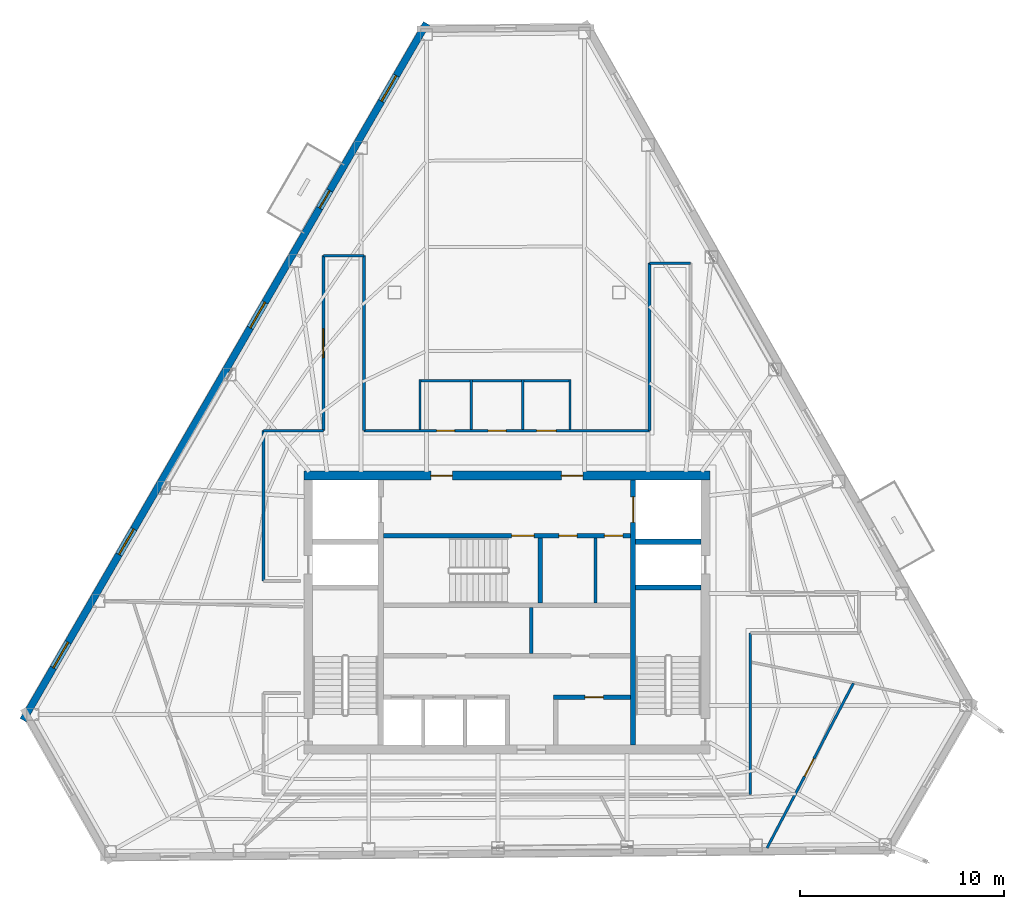
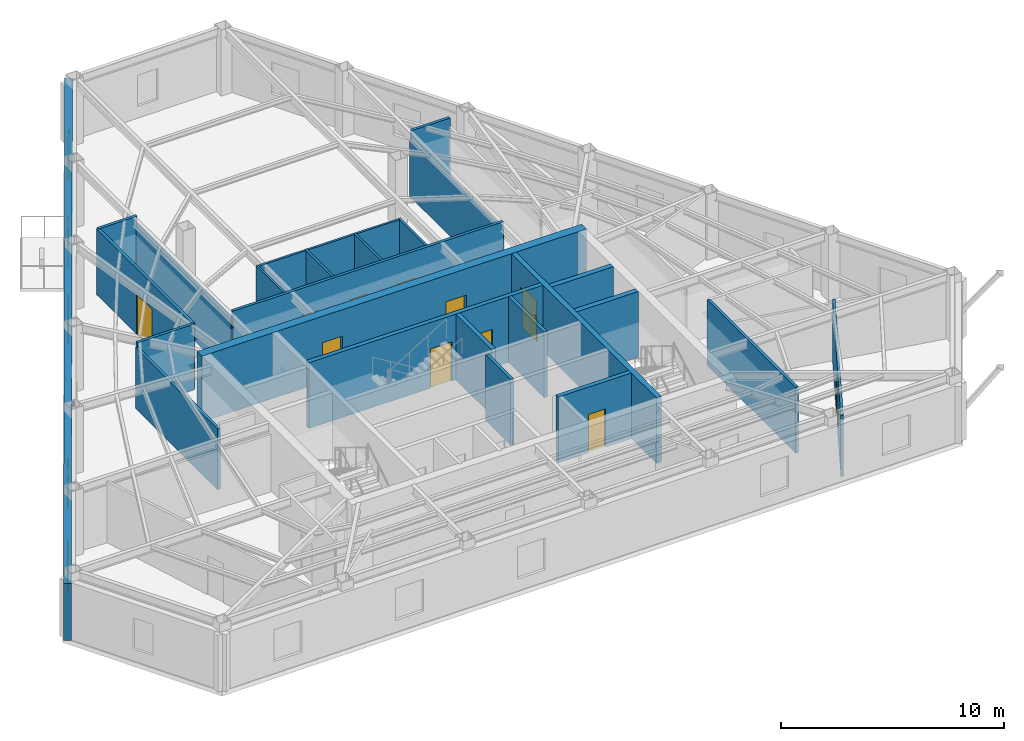
# One storey, part 7 of 10: 25 walls, 13 doors, 4 windows, 17 openings.
"""IFC4 building model written with IfcOpenShell, lengths in metres."""

from ifc_helpers import new_model, si_unit, direction, frame, frame_2d, origin, place, context, subcontext, project, spatial, rectangle, extrude, material, layer, layer_set, type_object, element, fill, save


model = new_model("IFC4")

# Units and contexts
model_context = context("Model", 3, precision=1e-05, world=origin(), true_north=direction((0.0, 1.0)))
body_context = subcontext(model_context, "Body", "Model", "MODEL_VIEW")
ifc_project = project(units=[si_unit("LENGTHUNIT", "METRE"), si_unit("AREAUNIT", "SQUARE_METRE"), si_unit("VOLUMEUNIT", "CUBIC_METRE"), si_unit("PLANEANGLEUNIT", "RADIAN"), si_unit("MASSUNIT", "GRAM", prefix="KILO")], contexts=[model_context])

# Site, building, storey
site_placement = place(None, origin())
site = spatial("IfcSite", under=ifc_project, at=site_placement, CompositionType="ELEMENT")
building_placement = place(site_placement, origin())
building = spatial("IfcBuilding", under=site, at=building_placement, Name="Kavelnor Concourse Tower", CompositionType="ELEMENT")
storey_placement = place(building_placement, frame((0.0, 0.0, 222.75)))
storey = spatial("IfcBuildingStorey", under=building, at=storey_placement, Name="L56", CompositionType="ELEMENT", Elevation=222.75)

# Wall, openings, doors
ifc_material_1 = material(Name="Concrete C50/60", Category="concrete")
ifc_layer_1 = layer(ifc_material_1, 0.43994140625, Name="Concrete C50/60")
ifc_layer_set_1 = layer_set([ifc_layer_1], Name="Concrete C50/60")
wall_type_1 = type_object("IfcWallType", Name="WL-CORE-Z3-440", PredefinedType="SOLIDWALL", material=ifc_layer_set_1)
wall_1_placement = place(storey_placement, frame((28.0400390625, 22.820068359375, 0.0), z_axis=(0.0, 0.0, 1.0), x_axis=(1.0, 0.0, 0.0)))
wall_1 = element("IfcWall", 1, at=wall_1_placement, inside=storey, type_object=wall_type_1, Name="L56 Central Core North Shear Wall", PredefinedType="SOLIDWALL", context=body_context, shape_type="SweptSolid", body=[
    extrude(rectangle(XDim=19.919921875, YDim=0.43994140625, at=frame_2d((9.9599609375, 0.0))), origin(), (0.0, 0.0, 1.0), 3.60009765625),
])
opening_1_placement = place(wall_1_placement, frame((6.235107421875, 0.0, 0.0)))
opening_1 = element("IfcOpeningElement", 2, at=opening_1_placement, cuts=wall_1, Name="Opening FD-105", PredefinedType="OPENING", context=body_context, shape_type="SweptSolid", body=[
    extrude(rectangle(XDim=1.050048828125, YDim=2.14990234375, at=frame_2d((0.52490234375, 1.074951171875))), frame((0.0, 0.22998046875, 0.0), z_axis=(0.0, -1.0, 0.0), x_axis=(1.0, 0.0, 0.0)), (0.0, 0.0, 1.0), 0.4599609375),
])
opening_2_placement = place(wall_1_placement, frame((12.635009765625, 0.0, 0.0)))
opening_2 = element("IfcOpeningElement", 3, at=opening_2_placement, cuts=wall_1, Name="Opening FD-105", PredefinedType="OPENING", context=body_context, shape_type="SweptSolid", body=[
    extrude(rectangle(XDim=1.050048828125, YDim=2.14990234375, at=frame_2d((0.52490234375, 1.074951171875))), frame((0.0, 0.22998046875, 0.0), z_axis=(0.0, -1.0, 0.0), x_axis=(1.0, 0.0, 0.0)), (0.0, 0.0, 1.0), 0.4599609375),
])
ifc_material_2 = material(Name="Steel Grade 350", Category="steel")
door_type_1 = type_object("IfcDoorType", Name="DR-LOBBY-FIRE-1050", OperationType="NOTDEFINED", PredefinedType="DOOR", material=ifc_material_2)
door_1_placement = place(opening_1_placement, origin())
door_1 = element("IfcDoor", 4, at=door_1_placement, inside=storey, type_object=door_type_1, Name="L56 Emergency Lift Lobby West Door", OperationType="SINGLE_SWING_LEFT", OverallHeight=2.14990234375, OverallWidth=1.050048828125, PredefinedType="DOOR", context=body_context, shape_type="SweptSolid", body=[
    extrude(rectangle(XDim=1.050048828125, YDim=2.14990234375, at=frame_2d((0.52490234375, 1.074951171875))), frame((0.0, 0.02490234375, 0.0), z_axis=(0.0, -1.0, 0.0), x_axis=(1.0, 0.0, 0.0)), (0.0, 0.0, 1.0), 0.050048828125),
])
fill(opening_1, door_1)
door_2_placement = place(opening_2_placement, origin())
door_2 = element("IfcDoor", 5, at=door_2_placement, inside=storey, type_object=door_type_1, Name="L56 Emergency Lift Lobby East Door", OperationType="SINGLE_SWING_RIGHT", OverallHeight=2.14990234375, OverallWidth=1.050048828125, PredefinedType="DOOR", context=body_context, shape_type="SweptSolid", body=[
    extrude(rectangle(XDim=1.050048828125, YDim=2.14990234375, at=frame_2d((0.52490234375, 1.074951171875))), frame((0.0, 0.02490234375, 0.0), z_axis=(0.0, -1.0, 0.0), x_axis=(1.0, 0.0, 0.0)), (0.0, 0.0, 1.0), 0.050048828125),
])
fill(opening_2, door_2)

# Wall, openings, door, windows
ifc_material_3 = material(Name="Red-ochre clay face brick masonry", Category="masonry")
ifc_layer_2 = layer(ifc_material_3, 0.35009765625, Name="Red-ochre clay face brick masonry")
ifc_layer_set_2 = layer_set([ifc_layer_2], Name="Red-ochre clay face brick masonry")
wall_type_2 = type_object("IfcWallType", Name="WL-EXT-RED-BRICK-PIER-350", PredefinedType="STANDARD", material=ifc_layer_set_2)
wall_2_placement = place(storey_placement, frame((14.2744140625, 10.82568359375, 0.0), z_axis=(0.0, 0.0, 1.0), x_axis=(0.501112789677, 0.865381980412, 0.0)))
wall_2 = element("IfcWall", 6, at=wall_2_placement, inside=storey, type_object=wall_type_2, Name="L56 Exterior Brick Facade Wall E1", PredefinedType="STANDARD", context=body_context, shape_type="SweptSolid", body=[
    extrude(rectangle(XDim=39.49072265625, YDim=0.35009765625, at=frame_2d((19.745361328125, 0.0))), origin(), (0.0, 0.0, 1.0), 3.132080078125),
])
opening_3_placement = place(wall_2_placement, frame((29.01806640625, 0.0, 0.0)))
opening_3 = element("IfcOpeningElement", 7, at=opening_3_placement, cuts=wall_2, Name="Opening BD-100", PredefinedType="OPENING", context=body_context, shape_type="SweptSolid", body=[
    extrude(rectangle(XDim=1.0, YDim=2.199951171875, at=frame_2d((0.5, 1.10009765625))), frame((0.0, 0.18505859375, 0.0), z_axis=(0.0, -1.0, 0.0), x_axis=(1.0, 0.0, 0.0)), (0.0, 0.0, 1.0), 0.3701171875),
])
opening_4_placement = place(wall_2_placement, frame((35.080078125, 0.0, 0.64990234375)))
opening_4 = element("IfcOpeningElement", 8, at=opening_4_placement, cuts=wall_2, Name="Opening W-03", PredefinedType="OPENING", context=body_context, shape_type="SweptSolid", body=[
    extrude(rectangle(XDim=1.449951171875, YDim=1.75, at=frame_2d((0.72509765625, 0.875))), frame((0.0, 0.18505859375, 0.0), z_axis=(0.0, -1.0, 0.0), x_axis=(1.0, 0.0, 0.0)), (0.0, 0.0, 1.0), 0.3701171875),
])
opening_5_placement = place(wall_2_placement, frame((22.23291015625, 0.0, 0.64990234375)))
opening_5 = element("IfcOpeningElement", 9, at=opening_5_placement, cuts=wall_2, Name="Opening W-03", PredefinedType="OPENING", context=body_context, shape_type="SweptSolid", body=[
    extrude(rectangle(XDim=1.449951171875, YDim=1.75, at=frame_2d((0.72509765625, 0.875))), frame((0.0, 0.18505859375, 0.0), z_axis=(0.0, -1.0, 0.0), x_axis=(1.0, 0.0, 0.0)), (0.0, 0.0, 1.0), 0.3701171875),
])
opening_6_placement = place(wall_2_placement, frame((9.385498046875, 0.0, 0.64990234375)))
opening_6 = element("IfcOpeningElement", 10, at=opening_6_placement, cuts=wall_2, Name="Opening W-03", PredefinedType="OPENING", context=body_context, shape_type="SweptSolid", body=[
    extrude(rectangle(XDim=1.449951171875, YDim=1.75, at=frame_2d((0.72509765625, 0.875))), frame((0.0, 0.18505859375, 0.0), z_axis=(0.0, -1.0, 0.0), x_axis=(1.0, 0.0, 0.0)), (0.0, 0.0, 1.0), 0.3701171875),
])
opening_7_placement = place(wall_2_placement, frame((2.9619140625, 0.0, 0.64990234375)))
opening_7 = element("IfcOpeningElement", 11, at=opening_7_placement, cuts=wall_2, Name="Opening W-03", PredefinedType="OPENING", context=body_context, shape_type="SweptSolid", body=[
    extrude(rectangle(XDim=1.449951171875, YDim=1.75, at=frame_2d((0.72509765625, 0.875))), frame((0.0, 0.18505859375, 0.0), z_axis=(0.0, -1.0, 0.0), x_axis=(1.0, 0.0, 0.0)), (0.0, 0.0, 1.0), 0.3701171875),
])
ifc_material_4 = material(Name="Anodised aluminium 6063-T6", Category="aluminium")
door_type_2 = type_object("IfcDoorType", Name="DR-BALCONY-EXT-1000", OperationType="NOTDEFINED", PredefinedType="DOOR", material=ifc_material_4)
door_3_placement = place(opening_3_placement, origin())
door_3 = element("IfcDoor", 12, at=door_3_placement, inside=storey, type_object=door_type_2, Name="L56 Tree Balcony 2 Glazed Door", OperationType="SINGLE_SWING_RIGHT", OverallHeight=2.199951171875, OverallWidth=1.0, PredefinedType="DOOR", context=body_context, shape_type="SweptSolid", body=[
    extrude(rectangle(XDim=1.0, YDim=2.199951171875, at=frame_2d((0.5, 1.10009765625))), frame((0.0, 0.02490234375, 0.0), z_axis=(0.0, -1.0, 0.0), x_axis=(1.0, 0.0, 0.0)), (0.0, 0.0, 1.0), 0.050048828125),
])
fill(opening_3, door_3)
ifc_material_5 = material(Name="Double low-E argon insulated glazing", Category="glass")
window_type = type_object("IfcWindowType", Name="WIN-PIER-Z3-1500", PartitioningType="SINGLE_PANEL", PredefinedType="WINDOW", material=ifc_material_5)
window_1_placement = place(opening_4_placement, origin())
window_1 = element("IfcWindow", 13, at=window_1_placement, inside=storey, type_object=window_type, Name="L56 Deep-Set Brick Pier Window F0-B0", OverallHeight=1.75, OverallWidth=1.449951171875, PartitioningType="SINGLE_PANEL", PredefinedType="WINDOW", context=body_context, shape_type="SweptSolid", body=[
    extrude(rectangle(XDim=1.449951171875, YDim=1.75, at=frame_2d((0.72509765625, 0.875))), frame((0.0, 0.030029296875, 0.0), z_axis=(0.0, -1.0, 0.0), x_axis=(1.0, 0.0, 0.0)), (0.0, 0.0, 1.0), 0.06005859375),
])
fill(opening_4, window_1)
window_2_placement = place(opening_5_placement, origin())
window_2 = element("IfcWindow", 14, at=window_2_placement, inside=storey, type_object=window_type, Name="L56 Deep-Set Brick Pier Window F0-B2", OverallHeight=1.75, OverallWidth=1.449951171875, PartitioningType="SINGLE_PANEL", PredefinedType="WINDOW", context=body_context, shape_type="SweptSolid", body=[
    extrude(rectangle(XDim=1.449951171875, YDim=1.75, at=frame_2d((0.72509765625, 0.875))), frame((0.0, 0.030029296875, 0.0), z_axis=(0.0, -1.0, 0.0), x_axis=(1.0, 0.0, 0.0)), (0.0, 0.0, 1.0), 0.06005859375),
])
fill(opening_5, window_2)
window_3_placement = place(opening_6_placement, origin())
window_3 = element("IfcWindow", 15, at=window_3_placement, inside=storey, type_object=window_type, Name="L56 Deep-Set Brick Pier Window F0-B4", OverallHeight=1.75, OverallWidth=1.449951171875, PartitioningType="SINGLE_PANEL", PredefinedType="WINDOW", context=body_context, shape_type="SweptSolid", body=[
    extrude(rectangle(XDim=1.449951171875, YDim=1.75, at=frame_2d((0.72509765625, 0.875))), frame((0.0, 0.030029296875, 0.0), z_axis=(0.0, -1.0, 0.0), x_axis=(1.0, 0.0, 0.0)), (0.0, 0.0, 1.0), 0.06005859375),
])
fill(opening_6, window_3)
window_4_placement = place(opening_7_placement, origin())
window_4 = element("IfcWindow", 16, at=window_4_placement, inside=storey, type_object=window_type, Name="L56 Deep-Set Brick Pier Window F0-B5", OverallHeight=1.75, OverallWidth=1.449951171875, PartitioningType="SINGLE_PANEL", PredefinedType="WINDOW", context=body_context, shape_type="SweptSolid", body=[
    extrude(rectangle(XDim=1.449951171875, YDim=1.75, at=frame_2d((0.72509765625, 0.875))), frame((0.0, 0.030029296875, 0.0), z_axis=(0.0, -1.0, 0.0), x_axis=(1.0, 0.0, 0.0)), (0.0, 0.0, 1.0), 0.06005859375),
])
fill(opening_7, window_4)

# Walls
ifc_material_6 = material(Name="Gypsum plasterboard on light-gauge steel studs", Category="steel")
ifc_layer_3 = layer(ifc_material_6, 0.14501953125, Name="Gypsum plasterboard on light-gauge steel studs")
ifc_layer_set_3 = layer_set([ifc_layer_3], Name="Gypsum plasterboard on light-gauge steel studs")
wall_type_3 = type_object("IfcWallType", Name="WL-INT-CORR-145", PredefinedType="PARTITIONING", material=ifc_layer_set_3)
wall_3_placement = place(storey_placement, frame((26.06005859375, 17.64990234375, 0.0), z_axis=(0.0, 0.0, 1.0), x_axis=(0.0, 1.0, 0.0)))
element("IfcWall", 17, at=wall_3_placement, inside=storey, type_object=wall_type_3, Name="L56 Corridor Wall WL-L56-CR-02", PredefinedType="PARTITIONING", context=body_context, shape_type="SweptSolid", body=[
    extrude(rectangle(XDim=7.3701171875, YDim=0.14501953125, at=frame_2d((3.68505859375, 0.0))), origin(), (0.0, 0.0, 1.0), 3.339111328125),
])
wall_4_placement = place(storey_placement, frame((26.06005859375, 25.02001953125, 0.0), z_axis=(0.0, 0.0, 1.0), x_axis=(1.0, 0.0, 0.0)))
element("IfcWall", 18, at=wall_4_placement, inside=storey, type_object=wall_type_3, Name="L56 Corridor Wall WL-L56-CR-03", PredefinedType="PARTITIONING", context=body_context, shape_type="SweptSolid", body=[
    extrude(rectangle(XDim=2.93994140625, YDim=0.14501953125, at=frame_2d((1.469970703125, 0.0))), origin(), (0.0, 0.0, 1.0), 3.60009765625),
])

# Wall, opening, door
wall_5_placement = place(storey_placement, frame((29.0, 25.02001953125, 0.0), z_axis=(0.0, 0.0, 1.0), x_axis=(0.0, 1.0, 0.0)))
wall_5 = element("IfcWall", 19, at=wall_5_placement, inside=storey, type_object=wall_type_3, Name="L56 Corridor Wall WL-L56-CR-04", PredefinedType="PARTITIONING", context=body_context, shape_type="SweptSolid", body=[
    extrude(rectangle(XDim=8.5830078125, YDim=0.14501953125, at=frame_2d((4.29150390625, 0.0))), origin(), (0.0, 0.0, 1.0), 3.60009765625),
])
opening_8_placement = place(wall_5_placement, frame((3.591552734375, 0.0, 0.0)))
opening_8 = element("IfcOpeningElement", 20, at=opening_8_placement, cuts=wall_5, Name="Opening SD-140", PredefinedType="OPENING", context=body_context, shape_type="SweptSolid", body=[
    extrude(rectangle(XDim=1.39990234375, YDim=2.199951171875, at=frame_2d((0.699951171875, 1.10009765625))), frame((0.0, 0.08251953125, 0.0), z_axis=(0.0, -1.0, 0.0), x_axis=(1.0, 0.0, 0.0)), (0.0, 0.0, 1.0), 0.1650390625),
])
ifc_material_7 = material(Name="Solid-core hardwood timber", Category="wood")
door_type_3 = type_object("IfcDoorType", Name="DR-SUITE-ENTRY-1400", OperationType="NOTDEFINED", PredefinedType="DOOR", material=ifc_material_7)
door_4_placement = place(opening_8_placement, origin())
door_4 = element("IfcDoor", 21, at=door_4_placement, inside=storey, type_object=door_type_3, Name="L56 Technical Reference Library 02 Door", OperationType="SINGLE_SWING_LEFT", OverallHeight=2.199951171875, OverallWidth=1.39990234375, PredefinedType="DOOR", context=body_context, shape_type="SweptSolid", body=[
    extrude(rectangle(XDim=1.39990234375, YDim=2.199951171875, at=frame_2d((0.699951171875, 1.10009765625))), frame((0.0, 0.02490234375, 0.0), z_axis=(0.0, -1.0, 0.0), x_axis=(1.0, 0.0, 0.0)), (0.0, 0.0, 1.0), 0.050048828125),
])
fill(opening_8, door_4)

# Walls
wall_6_placement = place(storey_placement, frame((29.0, 33.60302734375, 0.0), z_axis=(0.0, 0.0, 1.0), x_axis=(1.0, 0.0, 0.0)))
element("IfcWall", 22, at=wall_6_placement, inside=storey, type_object=wall_type_3, Name="L56 Corridor Wall WL-L56-CR-05", PredefinedType="PARTITIONING", context=body_context, shape_type="SweptSolid", body=[
    extrude(rectangle(XDim=2.0, YDim=0.14501953125, at=frame_2d((1.0, 0.0))), origin(), (0.0, 0.0, 1.0), 3.60009765625),
])
wall_7_placement = place(storey_placement, frame((31.0, 33.60302734375, 0.0), z_axis=(0.0, 0.0, 1.0), x_axis=(0.0, -1.0, 0.0)))
element("IfcWall", 23, at=wall_7_placement, inside=storey, type_object=wall_type_3, Name="L56 Corridor Wall WL-L56-CR-06", PredefinedType="PARTITIONING", context=body_context, shape_type="SweptSolid", body=[
    extrude(rectangle(XDim=8.5830078125, YDim=0.14501953125, at=frame_2d((4.29150390625, 0.0))), origin(), (0.0, 0.0, 1.0), 3.14111328125),
])

# Wall, openings, doors
wall_8_placement = place(storey_placement, frame((31.0, 25.02001953125, 0.0), z_axis=(0.0, 0.0, 1.0), x_axis=(1.0, 0.0, 0.0)))
wall_8 = element("IfcWall", 24, at=wall_8_placement, inside=storey, type_object=wall_type_3, Name="L56 Corridor Wall WL-L56-CR-07", PredefinedType="PARTITIONING", context=body_context, shape_type="SweptSolid", body=[
    extrude(rectangle(XDim=14.0, YDim=0.14501953125, at=frame_2d((7.0, 0.0))), origin(), (0.0, 0.0, 1.0), 3.60009765625),
])
opening_9_placement = place(wall_8_placement, frame((3.56005859375, 0.0, 0.0)))
opening_9 = element("IfcOpeningElement", 25, at=opening_9_placement, cuts=wall_8, Name="Opening WD-088", PredefinedType="OPENING", context=body_context, shape_type="SweptSolid", body=[
    extrude(rectangle(XDim=0.8798828125, YDim=2.10009765625, at=frame_2d((0.43994140625, 1.050048828125))), frame((0.0, 0.08251953125, 0.0), z_axis=(0.0, -1.0, 0.0), x_axis=(1.0, 0.0, 0.0)), (0.0, 0.0, 1.0), 0.1650390625),
])
opening_10_placement = place(wall_8_placement, frame((6.080078125, 0.0, 0.0)))
opening_10 = element("IfcOpeningElement", 26, at=opening_10_placement, cuts=wall_8, Name="Opening WD-088", PredefinedType="OPENING", context=body_context, shape_type="SweptSolid", body=[
    extrude(rectangle(XDim=0.8798828125, YDim=2.10009765625, at=frame_2d((0.43994140625, 1.050048828125))), frame((0.0, 0.08251953125, 0.0), z_axis=(0.0, -1.0, 0.0), x_axis=(1.0, 0.0, 0.0)), (0.0, 0.0, 1.0), 0.1650390625),
])
opening_11_placement = place(wall_8_placement, frame((8.4599609375, 0.0, 0.0)))
opening_11 = element("IfcOpeningElement", 27, at=opening_11_placement, cuts=wall_8, Name="Opening WD-096", PredefinedType="OPENING", context=body_context, shape_type="SweptSolid", body=[
    extrude(rectangle(XDim=0.9599609375, YDim=2.10009765625, at=frame_2d((0.47998046875, 1.050048828125))), frame((0.0, 0.08251953125, 0.0), z_axis=(0.0, -1.0, 0.0), x_axis=(1.0, 0.0, 0.0)), (0.0, 0.0, 1.0), 0.1650390625),
])
door_type_4 = type_object("IfcDoorType", Name="DR-WC-ACC-960", OperationType="NOTDEFINED", PredefinedType="DOOR", material=ifc_material_7)
door_5_placement = place(opening_11_placement, origin())
door_5 = element("IfcDoor", 28, at=door_5_placement, inside=storey, type_object=door_type_4, Name="L56 Accessible WC Door", OperationType="SINGLE_SWING_RIGHT", OverallHeight=2.10009765625, OverallWidth=0.9599609375, PredefinedType="DOOR", context=body_context, shape_type="SweptSolid", body=[
    extrude(rectangle(XDim=0.9599609375, YDim=2.10009765625, at=frame_2d((0.47998046875, 1.050048828125))), frame((0.0, 0.02490234375, 0.0), z_axis=(0.0, -1.0, 0.0), x_axis=(1.0, 0.0, 0.0)), (0.0, 0.0, 1.0), 0.050048828125),
])
fill(opening_11, door_5)
door_type_5 = type_object("IfcDoorType", Name="DR-WC-STD-880", OperationType="NOTDEFINED", PredefinedType="DOOR", material=ifc_material_7)
door_6_placement = place(opening_9_placement, origin())
door_6 = element("IfcDoor", 29, at=door_6_placement, inside=storey, type_object=door_type_5, Name="L56 Male WC Door", OperationType="SINGLE_SWING_RIGHT", OverallHeight=2.10009765625, OverallWidth=0.8798828125, PredefinedType="DOOR", context=body_context, shape_type="SweptSolid", body=[
    extrude(rectangle(XDim=0.8798828125, YDim=2.10009765625, at=frame_2d((0.43994140625, 1.050048828125))), frame((0.0, 0.02490234375, 0.0), z_axis=(0.0, -1.0, 0.0), x_axis=(1.0, 0.0, 0.0)), (0.0, 0.0, 1.0), 0.050048828125),
])
fill(opening_9, door_6)
door_7_placement = place(opening_10_placement, origin())
door_7 = element("IfcDoor", 30, at=door_7_placement, inside=storey, type_object=door_type_5, Name="L56 Female WC Door", OperationType="SINGLE_SWING_LEFT", OverallHeight=2.10009765625, OverallWidth=0.8798828125, PredefinedType="DOOR", context=body_context, shape_type="SweptSolid", body=[
    extrude(rectangle(XDim=0.8798828125, YDim=2.10009765625, at=frame_2d((0.43994140625, 1.050048828125))), frame((0.0, 0.02490234375, 0.0), z_axis=(0.0, -1.0, 0.0), x_axis=(1.0, 0.0, 0.0)), (0.0, 0.0, 1.0), 0.050048828125),
])
fill(opening_10, door_7)

# Walls
wall_9_placement = place(storey_placement, frame((45.0, 25.02001953125, 0.0), z_axis=(0.0, 0.0, 1.0), x_axis=(0.0, 1.0, 0.0)))
element("IfcWall", 31, at=wall_9_placement, inside=storey, type_object=wall_type_3, Name="L56 Corridor Wall WL-L56-CR-08", PredefinedType="PARTITIONING", context=body_context, shape_type="SweptSolid", body=[
    extrude(rectangle(XDim=8.215576171875, YDim=0.14501953125, at=frame_2d((4.10791015625, 0.0))), origin(), (0.0, 0.0, 1.0), 3.14111328125),
])
wall_10_placement = place(storey_placement, frame((45.0, 33.235595703125, 0.0), z_axis=(0.0, 0.0, 1.0), x_axis=(1.0, 0.0, 0.0)))
element("IfcWall", 32, at=wall_10_placement, inside=storey, type_object=wall_type_3, Name="L56 Corridor Wall WL-L56-CR-09", PredefinedType="PARTITIONING", context=body_context, shape_type="SweptSolid", body=[
    extrude(rectangle(XDim=2.0, YDim=0.14501953125, at=frame_2d((1.0, 0.0))), origin(), (0.0, 0.0, 1.0), 3.60009765625),
])
wall_11_placement = place(storey_placement, frame((49.93994140625, 15.10009765625, 0.0), z_axis=(0.0, 0.0, 1.0), x_axis=(0.0, -1.0, 0.0)))
element("IfcWall", 33, at=wall_11_placement, inside=storey, type_object=wall_type_3, Name="L56 Corridor Wall WL-L56-CR-16", PredefinedType="PARTITIONING", context=body_context, shape_type="SweptSolid", body=[
    extrude(rectangle(XDim=7.920166015625, YDim=0.14501953125, at=frame_2d((3.9599609375, 0.0))), origin(), (0.0, 0.0, 1.0), 3.60009765625),
])
ifc_layer_4 = layer(ifc_material_6, 0.1650390625, Name="Gypsum plasterboard on light-gauge steel studs")
ifc_layer_set_4 = layer_set([ifc_layer_4], Name="Gypsum plasterboard on light-gauge steel studs")
wall_type_4 = type_object("IfcWallType", Name="WL-INT-FIRE-165", PredefinedType="PARTITIONING", material=ifc_layer_set_4)
wall_12_placement = place(storey_placement, frame((39.199951171875, 14.10009765625, 0.0), z_axis=(0.0, 0.0, 1.0), x_axis=(0.0, 1.0, 0.0)))
element("IfcWall", 34, at=wall_12_placement, inside=storey, type_object=wall_type_4, Name="L56 Reclaimed Core Partition C", PredefinedType="PARTITIONING", context=body_context, shape_type="SweptSolid", body=[
    extrude(rectangle(XDim=2.239990234375, YDim=0.1650390625, at=frame_2d((1.1201171875, 0.0))), origin(), (0.0, 0.0, 1.0), 3.60009765625),
])
wall_13_placement = place(storey_placement, frame((42.35009765625, 16.56005859375, 0.0), z_axis=(0.0, 0.0, 1.0), x_axis=(0.0, 1.0, 0.0)))
element("IfcWall", 35, at=wall_13_placement, inside=storey, type_object=wall_type_4, Name="L56 Core Support Asymmetric Divider", PredefinedType="PARTITIONING", context=body_context, shape_type="SweptSolid", body=[
    extrude(rectangle(XDim=3.199951171875, YDim=0.1650390625, at=frame_2d((1.60009765625, 0.0))), origin(), (0.0, 0.0, 1.0), 3.60009765625),
])

# Wall, opening, door
ifc_layer_5 = layer(ifc_material_6, 0.125, Name="Gypsum plasterboard on light-gauge steel studs")
ifc_layer_set_5 = layer_set([ifc_layer_5], Name="Gypsum plasterboard on light-gauge steel studs")
wall_type_5 = type_object("IfcWallType", Name="WL-INT-SUITE-125", PredefinedType="PARTITIONING", material=ifc_layer_set_5)
wall_14_placement = place(storey_placement, frame((50.763427734375, 4.555908203125, 0.0), z_axis=(0.0, 0.0, 1.0), x_axis=(0.464483684419, 0.885581677153, 0.0)))
wall_14 = element("IfcWall", 36, at=wall_14_placement, inside=storey, type_object=wall_type_5, Name="L56 Suite Subdivision Partition 05", PredefinedType="PARTITIONING", context=body_context, shape_type="SweptSolid", body=[
    extrude(rectangle(XDim=9.12744140625, YDim=0.125, at=frame_2d((4.563720703125, 0.0))), origin(), (0.0, 0.0, 1.0), 3.339111328125),
])
opening_12_placement = place(wall_14_placement, frame((3.965576171875, 0.0, 0.0)))
opening_12 = element("IfcOpeningElement", 37, at=opening_12_placement, cuts=wall_14, Name="Opening OD-098", PredefinedType="OPENING", context=body_context, shape_type="SweptSolid", body=[
    extrude(rectangle(XDim=0.97998046875, YDim=2.14990234375, at=frame_2d((0.489990234375, 1.074951171875))), frame((0.0, 0.072509765625, 0.0), z_axis=(0.0, -1.0, 0.0), x_axis=(1.0, 0.0, 0.0)), (0.0, 0.0, 1.0), 0.14501953125),
])
door_type_6 = type_object("IfcDoorType", Name="DR-OFFICE-980", OperationType="NOTDEFINED", PredefinedType="DOOR", material=ifc_material_7)
door_8_placement = place(opening_12_placement, origin())
door_8 = element("IfcDoor", 38, at=door_8_placement, inside=storey, type_object=door_type_6, Name="L56 Client Concierge 07 Door", OperationType="SINGLE_SWING_RIGHT", OverallHeight=2.14990234375, OverallWidth=0.97998046875, PredefinedType="DOOR", context=body_context, shape_type="SweptSolid", body=[
    extrude(rectangle(XDim=0.97998046875, YDim=2.14990234375, at=frame_2d((0.489990234375, 1.074951171875))), frame((0.0, 0.02490234375, 0.0), z_axis=(0.0, -1.0, 0.0), x_axis=(1.0, 0.0, 0.0)), (0.0, 0.0, 1.0), 0.050048828125),
])
fill(opening_12, door_8)

# Walls
ifc_layer_6 = layer(ifc_material_6, 0.110107421875, Name="Gypsum plasterboard on light-gauge steel studs")
ifc_layer_set_6 = layer_set([ifc_layer_6], Name="Gypsum plasterboard on light-gauge steel studs")
wall_type_6 = type_object("IfcWallType", Name="WL-INT-WC-110", PredefinedType="PLUMBINGWALL", material=ifc_layer_set_6)
for number, where, z_axis, x_axis, name in (
    (39, (33.739990234375, 25.090087890625, 0.0), (0.0, 0.0, 1.0), (0.0, 1.0, 0.0), "L56 Sanitary Partition WL-L56-WC-W"),
    (40, (36.260009765625, 25.090087890625, 0.0), (0.0, 0.0, 1.0), (0.0, 1.0, 0.0), "L56 Sanitary Partition WL-L56-WC-D1"),
    (41, (38.780029296875, 25.090087890625, 0.0), (0.0, 0.0, 1.0), (0.0, 1.0, 0.0), "L56 Sanitary Partition WL-L56-WC-D2"),
    (42, (41.10009765625, 25.090087890625, 0.0), (0.0, 0.0, 1.0), (0.0, 1.0, 0.0), "L56 Sanitary Partition WL-L56-WC-E"),
):
    element("IfcWall", number, at=place(storey_placement, frame(where, z_axis=z_axis, x_axis=x_axis)), inside=storey, type_object=wall_type_6, Name=name, PredefinedType="PLUMBINGWALL", context=body_context, shape_type="SweptSolid", body=[
        extrude(rectangle(XDim=2.43994140625, YDim=0.110107421875, at=frame_2d((1.219970703125, 0.0))), origin(), (0.0, 0.0, 1.0), 3.60009765625),
    ])
wall_15_placement = place(storey_placement, frame((33.68994140625, 27.469970703125, 0.0), z_axis=(0.0, 0.0, 1.0), x_axis=(1.0, 0.0, 0.0)))
element("IfcWall", 43, at=wall_15_placement, inside=storey, type_object=wall_type_6, Name="L56 Sanitary Partition WL-L56-WC-N", PredefinedType="PLUMBINGWALL", context=body_context, shape_type="SweptSolid", body=[
    extrude(rectangle(XDim=7.4599609375, YDim=0.110107421875, at=frame_2d((3.72998046875, 0.0))), origin(), (0.0, 0.0, 1.0), 3.60009765625),
])

# Wall, openings, doors
ifc_layer_7 = layer(ifc_material_1, 0.219970703125, Name="Concrete C50/60")
ifc_layer_set_7 = layer_set([ifc_layer_7], Name="Concrete C50/60")
wall_type_7 = type_object("IfcWallType", Name="WL-SHAFT-220", PredefinedType="SOLIDWALL", material=ifc_layer_set_7)
wall_16_placement = place(storey_placement, frame((31.93994140625, 19.8701171875, 0.0), z_axis=(0.0, 0.0, 1.0), x_axis=(1.0, 0.0, 0.0)))
wall_16 = element("IfcWall", 44, at=wall_16_placement, inside=storey, type_object=wall_type_7, Name="L56 Emergency Lift Lobby South Wall", PredefinedType="SOLIDWALL", context=body_context, shape_type="SweptSolid", body=[
    extrude(rectangle(XDim=12.1201171875, YDim=0.219970703125, at=frame_2d((6.06005859375, 0.0))), origin(), (0.0, 0.0, 1.0), 3.60009765625),
])
opening_13_placement = place(wall_16_placement, frame((6.300048828125, 0.0, 0.0)))
opening_13 = element("IfcOpeningElement", 45, at=opening_13_placement, cuts=wall_16, Name="Opening FD-110", PredefinedType="OPENING", context=body_context, shape_type="SweptSolid", body=[
    extrude(rectangle(XDim=1.10009765625, YDim=2.14990234375, at=frame_2d((0.550048828125, 1.074951171875))), frame((0.0, 0.1201171875, 0.0), z_axis=(0.0, -1.0, 0.0), x_axis=(1.0, 0.0, 0.0)), (0.0, 0.0, 1.0), 0.239990234375),
])
opening_14_placement = place(wall_16_placement, frame((8.610107421875, 0.0, 0.0)))
opening_14 = element("IfcOpeningElement", 46, at=opening_14_placement, cuts=wall_16, Name="Opening FD-090", PredefinedType="OPENING", context=body_context, shape_type="SweptSolid", body=[
    extrude(rectangle(XDim=0.89990234375, YDim=2.10009765625, at=frame_2d((0.449951171875, 1.050048828125))), frame((0.0, 0.1201171875, 0.0), z_axis=(0.0, -1.0, 0.0), x_axis=(1.0, 0.0, 0.0)), (0.0, 0.0, 1.0), 0.239990234375),
])
opening_15_placement = place(wall_16_placement, frame((10.85009765625, 0.0, 0.0)))
opening_15 = element("IfcOpeningElement", 47, at=opening_15_placement, cuts=wall_16, Name="Opening FD-090", PredefinedType="OPENING", context=body_context, shape_type="SweptSolid", body=[
    extrude(rectangle(XDim=0.89990234375, YDim=2.10009765625, at=frame_2d((0.449951171875, 1.050048828125))), frame((0.0, 0.1201171875, 0.0), z_axis=(0.0, -1.0, 0.0), x_axis=(1.0, 0.0, 0.0)), (0.0, 0.0, 1.0), 0.239990234375),
])
door_type_7 = type_object("IfcDoorType", Name="DR-RISER-FIRE-900", OperationType="NOTDEFINED", PredefinedType="DOOR", material=ifc_material_2)
door_9_placement = place(opening_14_placement, origin())
door_9 = element("IfcDoor", 48, at=door_9_placement, inside=storey, type_object=door_type_7, Name="L56 Electrical Room Door", OperationType="SINGLE_SWING_LEFT", OverallHeight=2.10009765625, OverallWidth=0.89990234375, PredefinedType="DOOR", context=body_context, shape_type="SweptSolid", body=[
    extrude(rectangle(XDim=0.89990234375, YDim=2.10009765625, at=frame_2d((0.449951171875, 1.050048828125))), frame((0.0, 0.02490234375, 0.0), z_axis=(0.0, -1.0, 0.0), x_axis=(1.0, 0.0, 0.0)), (0.0, 0.0, 1.0), 0.050048828125),
])
fill(opening_14, door_9)
door_10_placement = place(opening_15_placement, origin())
door_10 = element("IfcDoor", 49, at=door_10_placement, inside=storey, type_object=door_type_7, Name="L56 Cleaner Store Door", OperationType="SINGLE_SWING_RIGHT", OverallHeight=2.10009765625, OverallWidth=0.89990234375, PredefinedType="DOOR", context=body_context, shape_type="SweptSolid", body=[
    extrude(rectangle(XDim=0.89990234375, YDim=2.10009765625, at=frame_2d((0.449951171875, 1.050048828125))), frame((0.0, 0.02490234375, 0.0), z_axis=(0.0, -1.0, 0.0), x_axis=(1.0, 0.0, 0.0)), (0.0, 0.0, 1.0), 0.050048828125),
])
fill(opening_15, door_10)
door_type_8 = type_object("IfcDoorType", Name="DR-STAIR-FIRE-1100", OperationType="NOTDEFINED", PredefinedType="DOOR", material=ifc_material_2)
door_11_placement = place(opening_13_placement, origin())
door_11 = element("IfcDoor", 50, at=door_11_placement, inside=storey, type_object=door_type_8, Name="L56 Stair ST3 Fire Door", OperationType="SINGLE_SWING_LEFT", OverallHeight=2.14990234375, OverallWidth=1.10009765625, PredefinedType="DOOR", context=body_context, shape_type="SweptSolid", body=[
    extrude(rectangle(XDim=1.10009765625, YDim=2.14990234375, at=frame_2d((0.550048828125, 1.074951171875))), frame((0.0, 0.02490234375, 0.0), z_axis=(0.0, -1.0, 0.0), x_axis=(1.0, 0.0, 0.0)), (0.0, 0.0, 1.0), 0.050048828125),
])
fill(opening_13, door_11)

# Wall
wall_17_placement = place(storey_placement, frame((39.64990234375, 16.56005859375, 0.0), z_axis=(0.0, 0.0, 1.0), x_axis=(0.0, 1.0, 0.0)))
element("IfcWall", 51, at=wall_17_placement, inside=storey, type_object=wall_type_7, Name="L56 Stair ST3 East Core Wall", PredefinedType="SOLIDWALL", context=body_context, shape_type="SweptSolid", body=[
    extrude(rectangle(XDim=3.199951171875, YDim=0.219970703125, at=frame_2d((1.60009765625, 0.0))), origin(), (0.0, 0.0, 1.0), 3.60009765625),
])

# Wall, opening, door
wall_18_placement = place(storey_placement, frame((40.280029296875, 11.949951171875, 0.0), z_axis=(0.0, 0.0, 1.0), x_axis=(1.0, 0.0, 0.0)))
wall_18 = element("IfcWall", 52, at=wall_18_placement, inside=storey, type_object=wall_type_7, Name="L56 Core South Support North Wall", PredefinedType="SOLIDWALL", context=body_context, shape_type="SweptSolid", body=[
    extrude(rectangle(XDim=3.780029296875, YDim=0.219970703125, at=frame_2d((1.89013671875, 0.0))), origin(), (0.0, 0.0, 1.0), 3.60009765625),
])
opening_16_placement = place(wall_18_placement, frame((1.550048828125, 0.0, 0.0)))
opening_16 = element("IfcOpeningElement", 53, at=opening_16_placement, cuts=wall_18, Name="Opening FD-090", PredefinedType="OPENING", context=body_context, shape_type="SweptSolid", body=[
    extrude(rectangle(XDim=0.89990234375, YDim=2.10009765625, at=frame_2d((0.449951171875, 1.050048828125))), frame((0.0, 0.1201171875, 0.0), z_axis=(0.0, -1.0, 0.0), x_axis=(1.0, 0.0, 0.0)), (0.0, 0.0, 1.0), 0.239990234375),
])
door_12_placement = place(opening_16_placement, origin())
door_12 = element("IfcDoor", 54, at=door_12_placement, inside=storey, type_object=door_type_7, Name="L56 Core Utility Store Door", OperationType="SINGLE_SWING_LEFT", OverallHeight=2.10009765625, OverallWidth=0.89990234375, PredefinedType="DOOR", context=body_context, shape_type="SweptSolid", body=[
    extrude(rectangle(XDim=0.89990234375, YDim=2.10009765625, at=frame_2d((0.449951171875, 1.050048828125))), frame((0.0, 0.02490234375, 0.0), z_axis=(0.0, -1.0, 0.0), x_axis=(1.0, 0.0, 0.0)), (0.0, 0.0, 1.0), 0.050048828125),
])
fill(opening_16, door_12)

ifc_layer_8 = layer(ifc_material_1, 0.260009765625, Name="Concrete C50/60")
ifc_layer_set_8 = layer_set([ifc_layer_8], Name="Concrete C50/60")
wall_type_8 = type_object("IfcWallType", Name="WL-SHAFT-260", PredefinedType="SHEAR", material=ifc_layer_set_8)
wall_19_placement = place(storey_placement, frame((44.18994140625, 9.60009765625, 0.0), z_axis=(0.0, 0.0, 1.0), x_axis=(0.0, 1.0, 0.0)))
wall_19 = element("IfcWall", 55, at=wall_19_placement, inside=storey, type_object=wall_type_8, Name="L56 Core East Wing Shear Wall", PredefinedType="SHEAR", context=body_context, shape_type="SweptSolid", body=[
    extrude(rectangle(XDim=13.0, YDim=0.260009765625, at=frame_2d((6.5, 0.0))), origin(), (0.0, 0.0, 1.0), 3.60009765625),
])
opening_17_placement = place(wall_19_placement, frame((10.925048828125, 0.0, 0.0)))
opening_17 = element("IfcOpeningElement", 56, at=opening_17_placement, cuts=wall_19, Name="Opening LD-125", PredefinedType="OPENING", context=body_context, shape_type="SweptSolid", body=[
    extrude(rectangle(XDim=1.25, YDim=2.25, at=frame_2d((0.625, 1.125))), frame((0.0, 0.14013671875, 0.0), z_axis=(0.0, -1.0, 0.0), x_axis=(1.0, 0.0, 0.0)), (0.0, 0.0, 1.0), 0.280029296875),
])
door_type_9 = type_object("IfcDoorType", Name="DR-LIFT-SLIDING-1250", OperationType="NOTDEFINED", PredefinedType="DOOR", material=ifc_material_2)
door_13_placement = place(opening_17_placement, origin())
door_13 = element("IfcDoor", 57, at=door_13_placement, inside=storey, type_object=door_type_9, Name="L56 Emergency Lift FL2 Landing Door", OperationType="DOUBLE_DOOR_SLIDING", OverallHeight=2.25, OverallWidth=1.25, PredefinedType="DOOR", context=body_context, shape_type="SweptSolid", body=[
    extrude(rectangle(XDim=1.25, YDim=2.25, at=frame_2d((0.625, 1.125))), frame((0.0, 0.02490234375, 0.0), z_axis=(0.0, -1.0, 0.0), x_axis=(1.0, 0.0, 0.0)), (0.0, 0.0, 1.0), 0.050048828125),
])
fill(opening_17, door_13)

# Walls
for number, where, z_axis, x_axis, name in (
    (58, (44.320068359375, 17.330078125, 0.0), (0.0, 0.0, 1.0), (1.0, 0.0, 0.0), "L56 Stair ST2 North Shaft Wall"),
    (59, (44.320068359375, 19.570068359375, 0.0), (0.0, 0.0, 1.0), (1.0, 0.0, 0.0), "L56 Emergency Lift FL2 South Shaft Wall"),
):
    element("IfcWall", number, at=place(storey_placement, frame(where, z_axis=z_axis, x_axis=x_axis)), inside=storey, type_object=wall_type_8, Name=name, PredefinedType="SHEAR", context=body_context, shape_type="SweptSolid", body=[
        extrude(rectangle(XDim=3.199951171875, YDim=0.260009765625, at=frame_2d((1.60009765625, 0.0))), origin(), (0.0, 0.0, 1.0), 3.60009765625),
    ])

save(model, "model.ifc")
